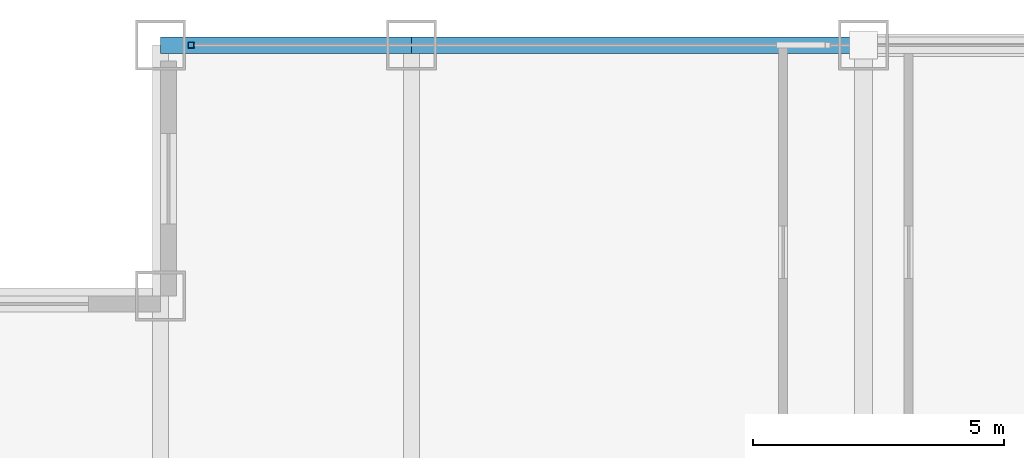
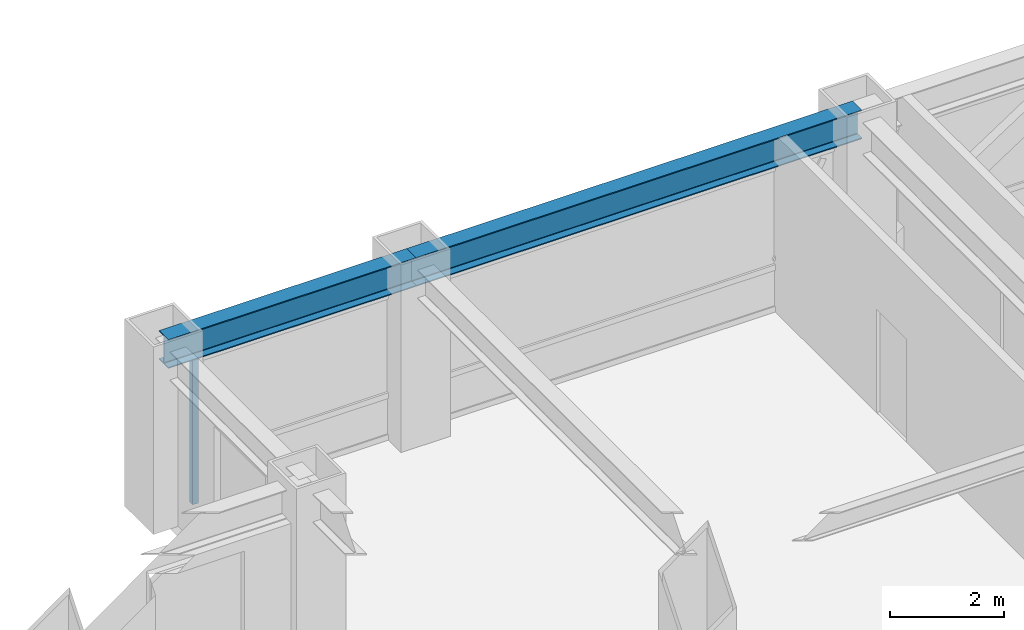
# One storey, part 14 of 24: 2 beams, 1 member, 1 element without a shape of its own.
"""IFC4 building model written with IfcOpenShell, lengths in metres."""

from ifc_helpers import new_model, si_unit, direction, frame, origin, origin_2d, place, context, subcontext, project, spatial, hollow_rectangle, i_section, extrude, source, transform, mapped, material, material_profile, profile_set, type_object, element, aggregate, save


model = new_model("IFC4")

# Units and contexts
model_context = context("Model", 3, precision=1e-05, world=origin(), true_north=direction((0.0, 1.0)))
body_context = subcontext(model_context, "Body", "Model", "MODEL_VIEW")
ifc_project = project(units=[si_unit("LENGTHUNIT", "METRE"), si_unit("AREAUNIT", "SQUARE_METRE"), si_unit("VOLUMEUNIT", "CUBIC_METRE"), si_unit("PLANEANGLEUNIT", "RADIAN"), si_unit("MASSUNIT", "GRAM", prefix="KILO")], contexts=[model_context])

# Site, building, storey
site_placement = place(None, origin())
site = spatial("IfcSite", under=ifc_project, at=site_placement, CompositionType="ELEMENT")
building_placement = place(site_placement, origin())
building = spatial("IfcBuilding", under=site, at=building_placement, Name="Khorayat Bourse Tower", CompositionType="ELEMENT")
storey_placement = place(building_placement, frame((0.0, 0.0, 219.10009765625)))
storey = spatial("IfcBuildingStorey", under=building, at=storey_placement, Name="L51", CompositionType="ELEMENT", Elevation=219.10009765625)

# Beams
ifc_material_1 = material(Name="Steel ASTM A992 Grade 50", Category="steel")
ifc_material_profile_1 = material_profile(ifc_material_1, i_section(OverallWidth=0.324951171875, OverallDepth=0.615966796875, WebThickness=0.013916015625, FlangeThickness=0.021484375, FilletRadius=0.01611328125, at=origin_2d()), Name="W610X174")
ifc_profile_set_1 = profile_set([ifc_material_profile_1], Name="Steel ASTM A992 Grade 50")
beam_type = type_object("IfcBeamType", Name="BM-SPAN-610", PredefinedType="SPANDREL", material=ifc_profile_set_1)
shared_shape_1 = source(origin(), body_context, "Body", "SweptSolid", [
    extrude(i_section(OverallWidth=0.324951171875, OverallDepth=0.615966796875, WebThickness=0.013916015625, FlangeThickness=0.021484375, FilletRadius=0.01611328125, at=origin_2d()), origin(), (0.0, 0.0, 1.0), 9.0),
])
beam_1_placement = place(storey_placement, frame((-20.0, 30.0, 3.471923828125), z_axis=(1.0, 0.0, 0.0), x_axis=(0.0, 1.0, 0.0)))
element("IfcBeam", 1, at=beam_1_placement, inside=storey, type_object=beam_type, Name="L51 BM-SPAN-610 BM-L51-SPN-050", PredefinedType="SPANDREL", context=body_context, shape_type="MappedRepresentation", body=[
    mapped(shared_shape_1, transform((0.0, 0.0, 0.0), scale=1.0)),
])
shared_shape_2 = source(origin(), body_context, "Body", "SweptSolid", [
    extrude(i_section(OverallWidth=0.324951171875, OverallDepth=0.615966796875, WebThickness=0.013916015625, FlangeThickness=0.021484375, FilletRadius=0.01611328125, at=origin_2d()), origin(), (0.0, 0.0, 1.0), 5.0),
])
beam_2_placement = place(storey_placement, frame((-25.0, 30.0, 3.471923828125), z_axis=(1.0, 0.0, 0.0), x_axis=(0.0, 1.0, 0.0)))
element("IfcBeam", 2, at=beam_2_placement, inside=storey, type_object=beam_type, Name="L51 BM-SPAN-610 BM-L51-SPN-051", PredefinedType="SPANDREL", context=body_context, shape_type="MappedRepresentation", body=[
    mapped(shared_shape_2, transform((0.0, 0.0, 0.0), scale=1.0)),
])

# Curtain wall, member
ifc_material_2 = material(Name="Aluminium EN AW-6063 T6", Category="aluminium")
curtain_wall_type = type_object("IfcCurtainWallType", Name="CW-SYS-03", PredefinedType="NOTDEFINED", material=ifc_material_2)
curtain_wall_placement = place(storey_placement, origin())
curtain_wall = element("IfcCurtainWall", 3, at=curtain_wall_placement, inside=storey, type_object=curtain_wall_type, Name="L51 Curtain Wall CW-L51-N1", PredefinedType="NOTDEFINED")
ifc_material_profile_2 = material_profile(ifc_material_2, hollow_rectangle(XDim=0.1201171875, YDim=0.1201171875, WallThickness=0.0048828125, at=origin_2d()), Name="ALU 120x120x5")
ifc_profile_set_2 = profile_set([ifc_material_profile_2], Name="Aluminium EN AW-6063 T6")
member_type = type_object("IfcMemberType", Name="CWM-VERT-120", PredefinedType="MULLION", material=ifc_profile_set_2)
shared_shape_3 = source(origin(), body_context, "Body", "SweptSolid", [
    extrude(hollow_rectangle(XDim=0.1201171875, YDim=0.1201171875, WallThickness=0.0048828125, at=origin_2d()), origin(), (0.0, 0.0, 1.0), 3.1298828125),
])
member_placement = place(storey_placement, frame((-24.389892578125, 30.0, 0.0), z_axis=(0.0, 0.0, 1.0), x_axis=(0.0, 1.0, 0.0)))
member = element("IfcMember", 4, at=member_placement, type_object=member_type, Name="CW-L51-N1 Vertical Mullion 1", PredefinedType="MULLION", context=body_context, shape_type="MappedRepresentation", body=[
    mapped(shared_shape_3, transform((0.0, 0.0, 0.0), scale=1.0)),
])
aggregate(curtain_wall, [member])

save(model, "model.ifc")
